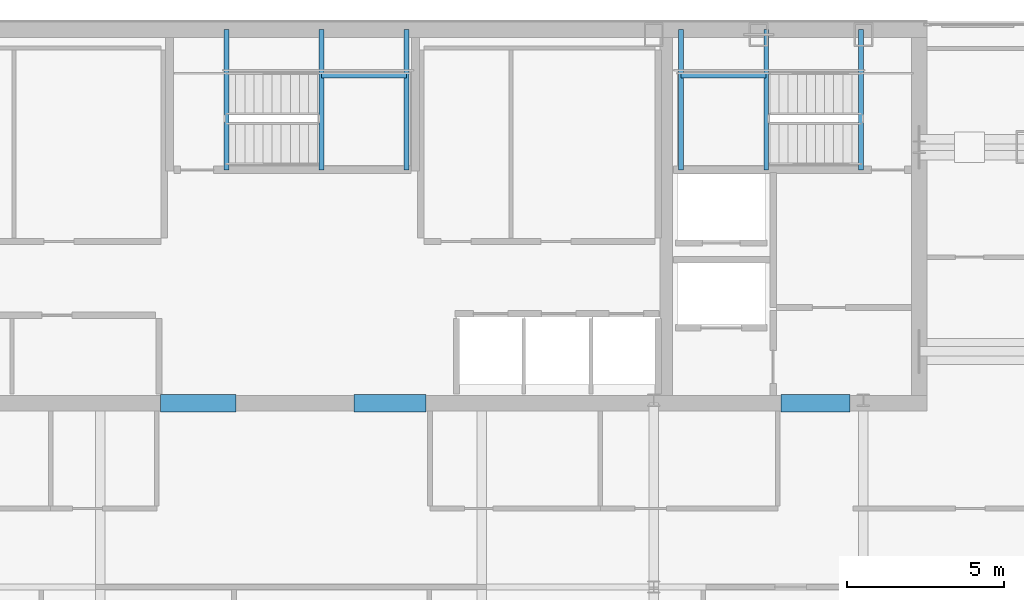
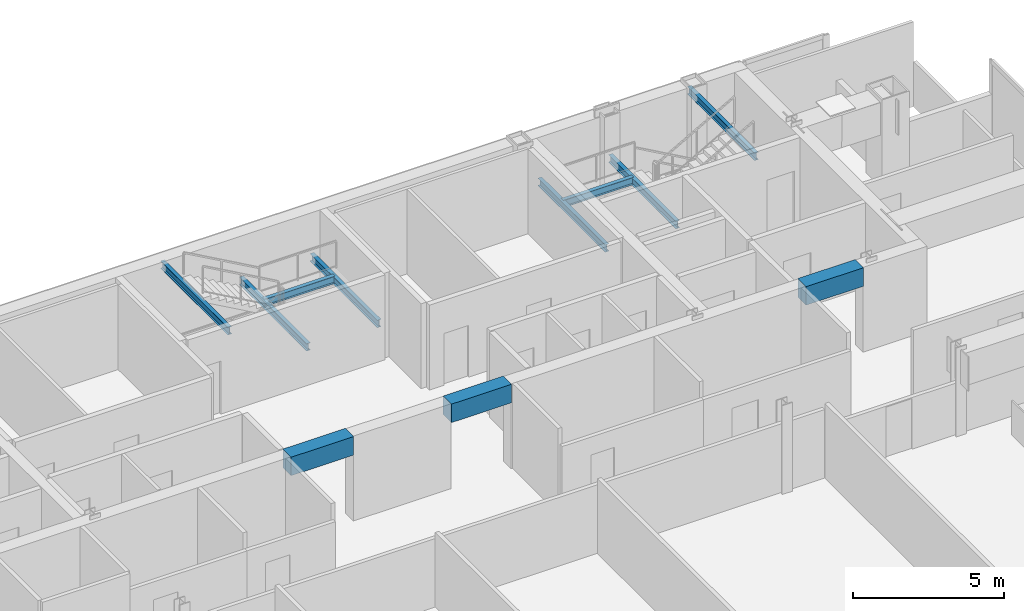
# One storey, part 18 of 26: 11 beams.
"""IFC4 building model written with IfcOpenShell, lengths in metres."""

from ifc_helpers import new_model, si_unit, direction, frame, origin, origin_2d, place, context, subcontext, project, spatial, rectangle, i_section, extrude, material, material_profile, profile_set, type_object, element, save


model = new_model("IFC4")

# Units and contexts
model_context = context("Model", 3, precision=1e-05, world=origin(), true_north=direction((0.0, 1.0)))
body_context = subcontext(model_context, "Body", "Model", "MODEL_VIEW")
ifc_project = project(units=[si_unit("LENGTHUNIT", "METRE"), si_unit("AREAUNIT", "SQUARE_METRE"), si_unit("VOLUMEUNIT", "CUBIC_METRE"), si_unit("PLANEANGLEUNIT", "RADIAN"), si_unit("MASSUNIT", "GRAM", prefix="KILO")], contexts=[model_context])

# Site, building, storey
site_placement = place(None, origin())
site = spatial("IfcSite", under=ifc_project, at=site_placement, CompositionType="ELEMENT")
building_placement = place(site_placement, origin())
building = spatial("IfcBuilding", under=site, at=building_placement, Name="Khoronbel Lancet Exchange", CompositionType="ELEMENT")
storey_placement = place(building_placement, frame((0.0, 0.0, 287.800048828125)))
storey = spatial("IfcBuildingStorey", under=building, at=storey_placement, Name="L74", CompositionType="ELEMENT", Elevation=287.800048828125)

# Beams
ifc_material_1 = material(Name="Steel S355", Category="steel")
ifc_material_profile_1 = material_profile(ifc_material_1, i_section(OverallWidth=0.14990234375, OverallDepth=0.300048828125, WebThickness=0.007080078125, FlangeThickness=0.0107421875, at=origin_2d()), Name="IPE 300")
ifc_profile_set_1 = profile_set([ifc_material_profile_1], Name="Steel S355")
beam_type_1 = type_object("IfcBeamType", Name="BM-BJ8", PredefinedType="JOIST", material=ifc_profile_set_1)
for number, where, z_axis, x_axis, name in (
    (1, (51.580078125, 48.97998046875, 1.449951171875), (0.0, 1.0, 0.0), (-1.0, 0.0, 0.0), "Level L74 stair ST2 landing bearer beam 1"),
    (2, (48.8701171875, 48.97998046875, 1.449951171875), (0.0, 1.0, 0.0), (-1.0, 0.0, 0.0), "Level L74 stair ST2 rear landing bearer beam 1"),
):
    element("IfcBeam", number, at=place(storey_placement, frame(where, z_axis=z_axis, x_axis=x_axis)), inside=storey, type_object=beam_type_1, Name=name, PredefinedType="JOIST", context=body_context, shape_type="SweptSolid", body=[
        extrude(i_section(OverallWidth=0.14990234375, OverallDepth=0.300048828125, WebThickness=0.007080078125, FlangeThickness=0.0107421875, at=origin_2d()), origin(), (0.0, 0.0, 1.0), 4.469970703125),
    ])
beam_1_placement = place(storey_placement, frame((48.8701171875, 51.97998046875, 1.449951171875), z_axis=(1.0, 0.0, 0.0), x_axis=(0.0, 1.0, 0.0)))
element("IfcBeam", 3, at=beam_1_placement, inside=storey, type_object=beam_type_1, Name="Level L74 stair ST2 landing cross trimmer beam 1", PredefinedType="JOIST", context=body_context, shape_type="SweptSolid", body=[
    extrude(i_section(OverallWidth=0.14990234375, OverallDepth=0.300048828125, WebThickness=0.007080078125, FlangeThickness=0.0107421875, at=origin_2d()), origin(), (0.0, 0.0, 1.0), 2.7099609375),
])
for number, where, z_axis, x_axis, name in (
    (4, (54.60009765625, 48.97998046875, 3.159912109375), (0.0, 1.0, 0.0), (-1.0, 0.0, 0.0), "Level L74 stair ST2 upper-flight arrival trimmer beam"),
    (5, (37.419921875, 48.97998046875, 1.449951171875), (0.0, 1.0, 0.0), (-1.0, 0.0, 0.0), "Level L74 stair ST3 landing bearer beam 1"),
    (6, (40.1298828125, 48.97998046875, 1.449951171875), (0.0, 1.0, 0.0), (-1.0, 0.0, 0.0), "Level L74 stair ST3 rear landing bearer beam 1"),
):
    element("IfcBeam", number, at=place(storey_placement, frame(where, z_axis=z_axis, x_axis=x_axis)), inside=storey, type_object=beam_type_1, Name=name, PredefinedType="JOIST", context=body_context, shape_type="SweptSolid", body=[
        extrude(i_section(OverallWidth=0.14990234375, OverallDepth=0.300048828125, WebThickness=0.007080078125, FlangeThickness=0.0107421875, at=origin_2d()), origin(), (0.0, 0.0, 1.0), 4.469970703125),
    ])
beam_2_placement = place(storey_placement, frame((37.419921875, 51.97998046875, 1.449951171875), z_axis=(1.0, 0.0, 0.0), x_axis=(0.0, 1.0, 0.0)))
element("IfcBeam", 7, at=beam_2_placement, inside=storey, type_object=beam_type_1, Name="Level L74 stair ST3 landing cross trimmer beam 1", PredefinedType="JOIST", context=body_context, shape_type="SweptSolid", body=[
    extrude(i_section(OverallWidth=0.14990234375, OverallDepth=0.300048828125, WebThickness=0.007080078125, FlangeThickness=0.0107421875, at=origin_2d()), origin(), (0.0, 0.0, 1.0), 2.7099609375),
])
beam_3_placement = place(storey_placement, frame((34.39990234375, 48.97998046875, 3.159912109375), z_axis=(0.0, 1.0, 0.0), x_axis=(-1.0, 0.0, 0.0)))
element("IfcBeam", 8, at=beam_3_placement, inside=storey, type_object=beam_type_1, Name="Level L74 stair ST3 upper-flight arrival trimmer beam", PredefinedType="JOIST", context=body_context, shape_type="SweptSolid", body=[
    extrude(i_section(OverallWidth=0.14990234375, OverallDepth=0.300048828125, WebThickness=0.007080078125, FlangeThickness=0.0107421875, at=origin_2d()), origin(), (0.0, 0.0, 1.0), 4.469970703125),
])
ifc_material_2 = material(Name="Concrete C60/75", Category="concrete")
ifc_material_profile_2 = material_profile(ifc_material_2, rectangle(XDim=0.550048828125, YDim=0.75, at=origin_2d()), Name="RC 550x750")
ifc_profile_set_2 = profile_set([ifc_material_profile_2], Name="Concrete C60/75")
beam_type_2 = type_object("IfcBeamType", Name="BM-BL2", PredefinedType="LINTEL", material=ifc_profile_set_2)
beam_4_placement = place(storey_placement, frame((32.300048828125, 41.550048828125, 3.06494140625), z_axis=(1.0, 0.0, 0.0), x_axis=(0.0, 1.0, 0.0)))
element("IfcBeam", 9, at=beam_4_placement, inside=storey, type_object=beam_type_2, Name="Level L74 rear core coupling lintel L2", PredefinedType="LINTEL", context=body_context, shape_type="SweptSolid", body=[
    extrude(rectangle(XDim=0.550048828125, YDim=0.75, at=origin_2d()), origin(), (0.0, 0.0, 1.0), 2.39990234375),
])
beam_5_placement = place(storey_placement, frame((38.449951171875, 41.550048828125, 3.06494140625), z_axis=(1.0, 0.0, 0.0), x_axis=(0.0, 1.0, 0.0)))
element("IfcBeam", 10, at=beam_5_placement, inside=storey, type_object=beam_type_2, Name="Level L74 rear core coupling lintel L3", PredefinedType="LINTEL", context=body_context, shape_type="SweptSolid", body=[
    extrude(rectangle(XDim=0.550048828125, YDim=0.75, at=origin_2d()), origin(), (0.0, 0.0, 1.0), 2.300048828125),
])
beam_6_placement = place(storey_placement, frame((52.050048828125, 41.550048828125, 3.06494140625), z_axis=(1.0, 0.0, 0.0), x_axis=(0.0, 1.0, 0.0)))
element("IfcBeam", 11, at=beam_6_placement, inside=storey, type_object=beam_type_2, Name="Level L74 rear core coupling lintel L4", PredefinedType="LINTEL", context=body_context, shape_type="SweptSolid", body=[
    extrude(rectangle(XDim=0.550048828125, YDim=0.75, at=origin_2d()), origin(), (0.0, 0.0, 1.0), 2.199951171875),
])

save(model, "model.ifc")
